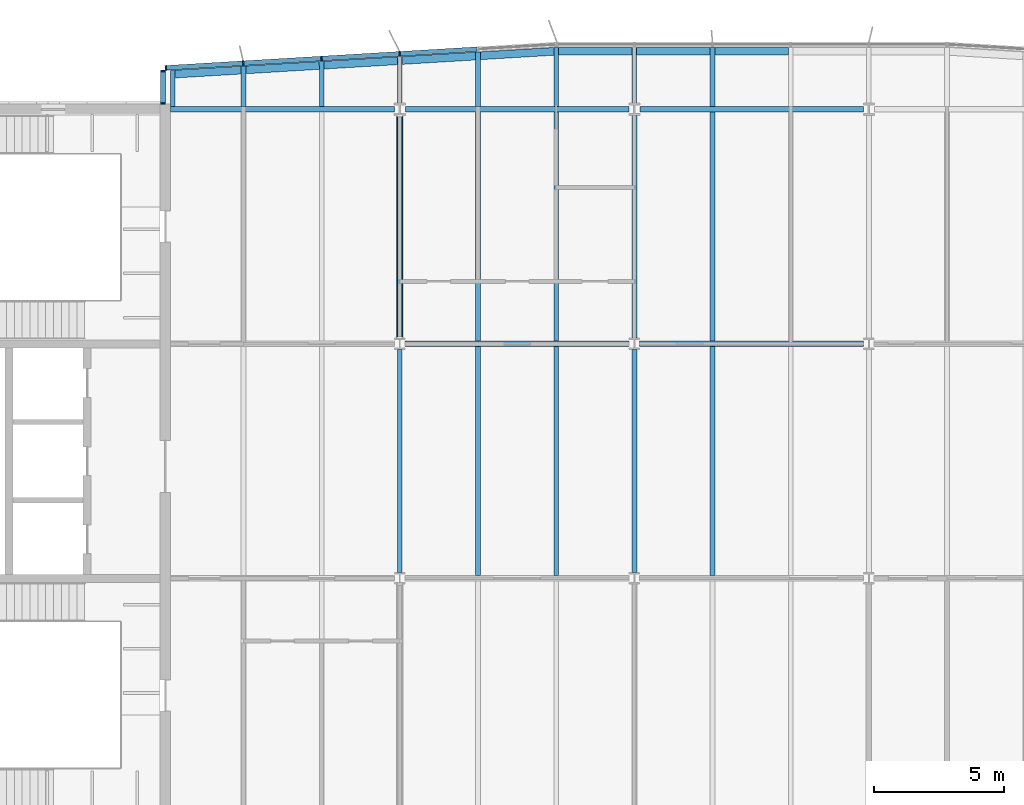
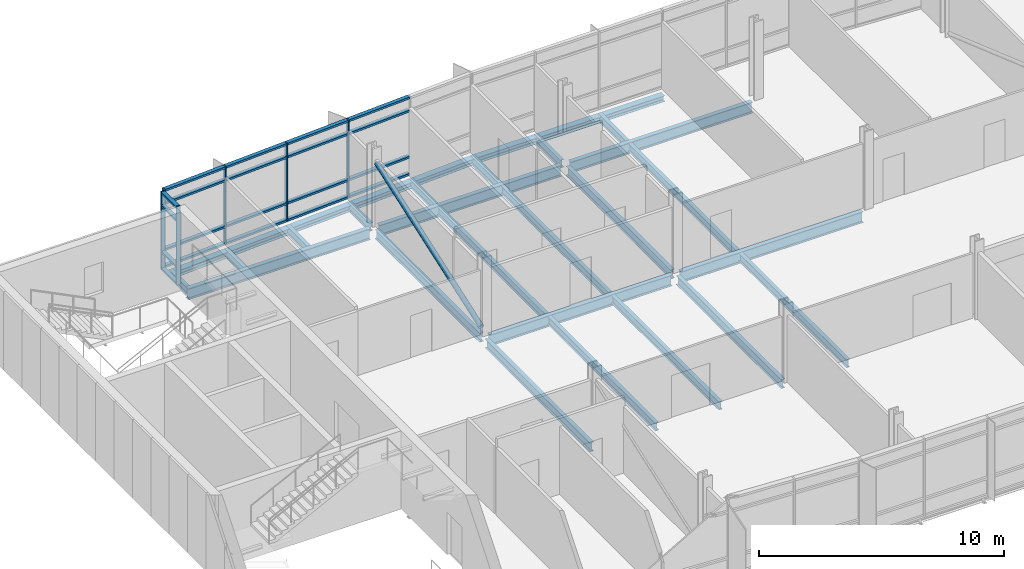
# One storey, part 4 of 17: 31 beams, 27 members, 2 elements without a shape of their own.
"""IFC4 building model written with IfcOpenShell, lengths in metres."""

from ifc_helpers import new_model, si_unit, direction, frame, origin, origin_2d, place, context, subcontext, project, spatial, rectangle, hollow_circle, i_section, extrude, material, material_profile, profile_set, type_object, element, aggregate, save


model = new_model("IFC4")

# Units and contexts
model_context = context("Model", 3, precision=1e-05, world=origin(), true_north=direction((0.0, 1.0)))
body_context = subcontext(model_context, "Body", "Model", "MODEL_VIEW")
ifc_project = project(units=[si_unit("LENGTHUNIT", "METRE"), si_unit("AREAUNIT", "SQUARE_METRE"), si_unit("VOLUMEUNIT", "CUBIC_METRE"), si_unit("PLANEANGLEUNIT", "RADIAN"), si_unit("MASSUNIT", "GRAM", prefix="KILO")], contexts=[model_context])

# Site, building, storey
site_placement = place(None, origin())
site = spatial("IfcSite", under=ifc_project, at=site_placement, CompositionType="ELEMENT")
building_placement = place(site_placement, origin())
building = spatial("IfcBuilding", under=site, at=building_placement, Name="Azimuth Sports and Learning Centre", CompositionType="ELEMENT")
storey_placement = place(building_placement, frame((0.0, 0.0, 40.199951171875)))
storey = spatial("IfcBuildingStorey", under=building, at=storey_placement, Name="L08", CompositionType="ELEMENT", Elevation=40.199951171875)

# Beams
ifc_material_1 = material(Name="Steel S355", Category="steel")
ifc_material_profile_1 = material_profile(ifc_material_1, i_section(OverallWidth=0.18994140625, OverallDepth=0.449951171875, WebThickness=0.009521484375, FlangeThickness=0.0146484375, FilletRadius=0.02099609375, at=origin_2d()), Name="IPE 450")
ifc_profile_set_1 = profile_set([ifc_material_profile_1], Name="Steel S355")
beam_type_1 = type_object("IfcBeamType", Name="Beam IPE 450", PredefinedType="BEAM", material=ifc_profile_set_1)
beam_1_placement = place(storey_placement, frame((72.0, 99.217529296875, -0.35498046875), z_axis=(0.0, 1.0, 0.0), x_axis=(-1.0, 0.0, 0.0)))
element("IfcBeam", 1, at=beam_1_placement, inside=storey, type_object=beam_type_1, Name="Tower tie", PredefinedType="BEAM", context=body_context, shape_type="SweptSolid", body=[
    extrude(i_section(OverallWidth=0.18994140625, OverallDepth=0.449951171875, WebThickness=0.009521484375, FlangeThickness=0.0146484375, FilletRadius=0.02099609375, at=origin_2d()), origin(), (0.0, 0.0, 1.0), 8.56494140625),
])
beam_2_placement = place(storey_placement, frame((72.0, 108.217529296875, -0.35498046875), z_axis=(0.0, 1.0, 0.0), x_axis=(-1.0, 0.0, 0.0)))
element("IfcBeam", 2, at=beam_2_placement, inside=storey, type_object=beam_type_1, Name="Tower tie", PredefinedType="BEAM", context=body_context, shape_type="SweptSolid", body=[
    extrude(i_section(OverallWidth=0.18994140625, OverallDepth=0.449951171875, WebThickness=0.009521484375, FlangeThickness=0.0146484375, FilletRadius=0.02099609375, at=origin_2d()), origin(), (0.0, 0.0, 1.0), 8.54541015625),
])
beam_3_placement = place(storey_placement, frame((81.0, 99.217529296875, -0.35498046875), z_axis=(0.0, 1.0, 0.0), x_axis=(-1.0, 0.0, 0.0)))
element("IfcBeam", 3, at=beam_3_placement, inside=storey, type_object=beam_type_1, Name="Tower tie", PredefinedType="BEAM", context=body_context, shape_type="SweptSolid", body=[
    extrude(i_section(OverallWidth=0.18994140625, OverallDepth=0.449951171875, WebThickness=0.009521484375, FlangeThickness=0.0146484375, FilletRadius=0.02099609375, at=origin_2d()), origin(), (0.0, 0.0, 1.0), 8.56494140625),
])
beam_4_placement = place(storey_placement, frame((81.0, 108.217529296875, -0.35498046875), z_axis=(0.0, 1.0, 0.0), x_axis=(-1.0, 0.0, 0.0)))
element("IfcBeam", 4, at=beam_4_placement, inside=storey, type_object=beam_type_1, Name="Tower tie", PredefinedType="BEAM", context=body_context, shape_type="SweptSolid", body=[
    extrude(i_section(OverallWidth=0.18994140625, OverallDepth=0.449951171875, WebThickness=0.009521484375, FlangeThickness=0.0146484375, FilletRadius=0.02099609375, at=origin_2d()), origin(), (0.0, 0.0, 1.0), 8.54541015625),
])
ifc_material_2 = material(Name="Steel S355", Category="steel")
ifc_material_profile_2 = material_profile(ifc_material_2, i_section(OverallWidth=0.2099609375, OverallDepth=0.550048828125, WebThickness=0.010986328125, FlangeThickness=0.01708984375, FilletRadius=0.02392578125, at=origin_2d()), Name="IPE 550")
ifc_profile_set_2 = profile_set([ifc_material_profile_2], Name="Steel S355")
beam_type_2 = type_object("IfcBeamType", Name="Beam IPE 550", PredefinedType="BEAM", material=ifc_profile_set_2)
for number, where, z_axis, x_axis, name in (
    (5, (72.2060546875, 108.0, -0.405029296875), (1.0, 0.0, 0.0), (0.0, 1.0, 0.0), "Tower girder L08"),
    (6, (81.2060546875, 108.0, -0.405029296875), (1.0, 0.0, 0.0), (0.0, 1.0, 0.0), "Tower girder L08"),
):
    element("IfcBeam", number, at=place(storey_placement, frame(where, z_axis=z_axis, x_axis=x_axis)), inside=storey, type_object=beam_type_2, Name=name, PredefinedType="BEAM", context=body_context, shape_type="SweptSolid", body=[
        extrude(i_section(OverallWidth=0.2099609375, OverallDepth=0.550048828125, WebThickness=0.010986328125, FlangeThickness=0.01708984375, FilletRadius=0.02392578125, at=origin_2d()), origin(), (0.0, 0.0, 1.0), 8.587890625),
    ])
beam_5_placement = place(storey_placement, frame((63.199951171875, 117.0, -0.405029296875), z_axis=(1.0, 0.0, 0.0), x_axis=(0.0, 1.0, 0.0)))
element("IfcBeam", 7, at=beam_5_placement, inside=storey, type_object=beam_type_2, Name="Tower girder L08", PredefinedType="BEAM", context=body_context, shape_type="SweptSolid", body=[
    extrude(i_section(OverallWidth=0.2099609375, OverallDepth=0.550048828125, WebThickness=0.010986328125, FlangeThickness=0.01708984375, FilletRadius=0.02392578125, at=origin_2d()), origin(), (0.0, 0.0, 1.0), 8.588134765625),
])
for number, where, z_axis, x_axis, name in (
    (8, (72.2119140625, 117.0, -0.405029296875), (1.0, 0.0, 0.0), (0.0, 1.0, 0.0), "Tower girder L08"),
    (9, (81.2119140625, 117.0, -0.405029296875), (1.0, 0.0, 0.0), (0.0, 1.0, 0.0), "Tower girder L08"),
):
    element("IfcBeam", number, at=place(storey_placement, frame(where, z_axis=z_axis, x_axis=x_axis)), inside=storey, type_object=beam_type_2, Name=name, PredefinedType="BEAM", context=body_context, shape_type="SweptSolid", body=[
        extrude(i_section(OverallWidth=0.2099609375, OverallDepth=0.550048828125, WebThickness=0.010986328125, FlangeThickness=0.01708984375, FilletRadius=0.02392578125, at=origin_2d()), origin(), (0.0, 0.0, 1.0), 8.576171875),
    ])

# Member
ifc_material_3 = material(Name="Steel S355", Category="steel")
ifc_material_profile_3 = material_profile(ifc_material_3, hollow_circle(Radius=0.122314453125, WallThickness=0.012451171875, at=origin_2d()), Name="CHS 244.5x12.5")
ifc_profile_set_3 = profile_set([ifc_material_profile_3], Name="Steel S355")
member_type_1 = type_object("IfcMemberType", Name="Brace CHS 244.5x12.5", PredefinedType="BRACE", material=ifc_profile_set_3)
member_1_placement = place(storey_placement, frame((72.0, 108.238037109375, 0.16943359375), z_axis=(0.0, 0.943699867633, 0.330802901785), x_axis=(-1.0, 0.0, 0.0)))
element("IfcMember", 10, at=member_1_placement, inside=storey, type_object=member_type_1, Name="Tower brace 9 L08", PredefinedType="BRACE", context=body_context, shape_type="SweptSolid", body=[
    extrude(hollow_circle(Radius=0.122314453125, WallThickness=0.012451171875, at=origin_2d()), origin(), (0.0, 0.0, 1.0), 9.011962890625),
])

# Beams
ifc_material_4 = material(Name="Steel S355", Category="steel")
ifc_material_profile_4 = material_profile(ifc_material_4, i_section(OverallWidth=0.179931640625, OverallDepth=0.39990234375, WebThickness=0.008544921875, FlangeThickness=0.013427734375, FilletRadius=0.02099609375, at=origin_2d()), Name="IPE 400")
ifc_profile_set_4 = profile_set([ifc_material_profile_4], Name="Steel S355")
beam_type_3 = type_object("IfcBeamType", Name="Cantilever stub IPE 400", PredefinedType="JOIST", material=ifc_profile_set_4)
beam_6_placement = place(storey_placement, frame((63.2900390625, 117.10498046875, -0.329833984375), z_axis=(0.0, 1.0, 0.0), x_axis=(-1.0, 0.0, 0.0)))
element("IfcBeam", 11, at=beam_6_placement, inside=storey, type_object=beam_type_3, Name="Tower cantilever stub", PredefinedType="JOIST", context=body_context, shape_type="SweptSolid", body=[
    extrude(i_section(OverallWidth=0.179931640625, OverallDepth=0.39990234375, WebThickness=0.008544921875, FlangeThickness=0.013427734375, FilletRadius=0.02099609375, at=origin_2d()), origin(), (0.0, 0.0, 1.0), 1.392333984375),
])
beam_7_placement = place(storey_placement, frame((66.0, 117.10498046875, -0.329833984375), z_axis=(0.0, 1.0, 0.0), x_axis=(-1.0, 0.0, 0.0)))
element("IfcBeam", 12, at=beam_7_placement, inside=storey, type_object=beam_type_3, Name="Tower cantilever stub", PredefinedType="JOIST", context=body_context, shape_type="SweptSolid", body=[
    extrude(i_section(OverallWidth=0.179931640625, OverallDepth=0.39990234375, WebThickness=0.008544921875, FlangeThickness=0.013427734375, FilletRadius=0.02099609375, at=origin_2d()), origin(), (0.0, 0.0, 1.0), 1.554931640625),
])
beam_8_placement = place(storey_placement, frame((69.0, 117.10498046875, -0.329833984375), z_axis=(0.0, 1.0, 0.0), x_axis=(-1.0, 0.0, 0.0)))
element("IfcBeam", 13, at=beam_8_placement, inside=storey, type_object=beam_type_3, Name="Tower cantilever stub", PredefinedType="JOIST", context=body_context, shape_type="SweptSolid", body=[
    extrude(i_section(OverallWidth=0.179931640625, OverallDepth=0.39990234375, WebThickness=0.008544921875, FlangeThickness=0.013427734375, FilletRadius=0.02099609375, at=origin_2d()), origin(), (0.0, 0.0, 1.0), 1.735107421875),
])
beam_9_placement = place(storey_placement, frame((72.0, 117.237060546875, -0.329833984375), z_axis=(0.0, 1.0, 0.0), x_axis=(-1.0, 0.0, 0.0)))
element("IfcBeam", 14, at=beam_9_placement, inside=storey, type_object=beam_type_3, Name="Tower cantilever stub", PredefinedType="JOIST", context=body_context, shape_type="SweptSolid", body=[
    extrude(i_section(OverallWidth=0.179931640625, OverallDepth=0.39990234375, WebThickness=0.008544921875, FlangeThickness=0.013427734375, FilletRadius=0.02099609375, at=origin_2d()), origin(), (0.0, 0.0, 1.0), 1.782958984375),
])
beam_10_placement = place(storey_placement, frame((75.0, 117.10498046875, -0.329833984375), z_axis=(0.0, 1.0, 0.0), x_axis=(-1.0, 0.0, 0.0)))
element("IfcBeam", 15, at=beam_10_placement, inside=storey, type_object=beam_type_3, Name="Tower cantilever stub", PredefinedType="JOIST", context=body_context, shape_type="SweptSolid", body=[
    extrude(i_section(OverallWidth=0.179931640625, OverallDepth=0.39990234375, WebThickness=0.008544921875, FlangeThickness=0.013427734375, FilletRadius=0.02099609375, at=origin_2d()), origin(), (0.0, 0.0, 1.0), 2.094970703125),
])
beam_11_placement = place(storey_placement, frame((78.0, 117.10498046875, -0.329833984375), z_axis=(0.0, 1.0, 0.0), x_axis=(-1.0, 0.0, 0.0)))
element("IfcBeam", 16, at=beam_11_placement, inside=storey, type_object=beam_type_3, Name="Tower cantilever stub", PredefinedType="JOIST", context=body_context, shape_type="SweptSolid", body=[
    extrude(i_section(OverallWidth=0.179931640625, OverallDepth=0.39990234375, WebThickness=0.008544921875, FlangeThickness=0.013427734375, FilletRadius=0.02099609375, at=origin_2d()), origin(), (0.0, 0.0, 1.0), 2.27490234375),
])
beam_12_placement = place(storey_placement, frame((81.0, 117.237060546875, -0.329833984375), z_axis=(0.0, 1.0, 0.0), x_axis=(-1.0, 0.0, 0.0)))
element("IfcBeam", 17, at=beam_12_placement, inside=storey, type_object=beam_type_3, Name="Tower cantilever stub", PredefinedType="JOIST", context=body_context, shape_type="SweptSolid", body=[
    extrude(i_section(OverallWidth=0.179931640625, OverallDepth=0.39990234375, WebThickness=0.008544921875, FlangeThickness=0.013427734375, FilletRadius=0.02099609375, at=origin_2d()), origin(), (0.0, 0.0, 1.0), 2.142822265625),
])
beam_13_placement = place(storey_placement, frame((84.0, 117.10498046875, -0.329833984375), z_axis=(0.0, 1.0, 0.0), x_axis=(-1.0, 0.0, 0.0)))
element("IfcBeam", 18, at=beam_13_placement, inside=storey, type_object=beam_type_3, Name="Tower cantilever stub", PredefinedType="JOIST", context=body_context, shape_type="SweptSolid", body=[
    extrude(i_section(OverallWidth=0.179931640625, OverallDepth=0.39990234375, WebThickness=0.008544921875, FlangeThickness=0.013427734375, FilletRadius=0.02099609375, at=origin_2d()), origin(), (0.0, 0.0, 1.0), 2.27490234375),
])
ifc_material_5 = material(Name="Steel S355", Category="steel")
ifc_material_profile_5 = material_profile(ifc_material_5, i_section(OverallWidth=0.300048828125, OverallDepth=0.2900390625, WebThickness=0.008544921875, FlangeThickness=0.013916015625, FilletRadius=0.027099609375, at=origin_2d()), Name="HEA 300")
ifc_profile_set_5 = profile_set([ifc_material_profile_5], Name="Steel S355")
beam_type_4 = type_object("IfcBeamType", Name="Edge beam HEA 300", PredefinedType="SPANDREL", material=ifc_profile_set_5)
beam_14_placement = place(storey_placement, frame((63.3798828125, 118.352783203125, -0.27490234375), z_axis=(0.998203578329, 0.059913405937, 0.0), x_axis=(-0.059913405937, 0.998203578329, 0.0)))
element("IfcBeam", 19, at=beam_14_placement, inside=storey, type_object=beam_type_4, Name="Tower edge beam", PredefinedType="SPANDREL", context=body_context, shape_type="SweptSolid", body=[
    extrude(i_section(OverallWidth=0.300048828125, OverallDepth=0.2900390625, WebThickness=0.008544921875, FlangeThickness=0.013916015625, FilletRadius=0.027099609375, at=origin_2d()), origin(), (0.0, 0.0, 1.0), 2.53466796875),
])
for number, where, z_axis, x_axis, name in (
    (20, (66.090087890625, 118.515380859375, -0.27490234375), (0.998204845466, 0.059892290728, 0.0), (-0.059892290728, 0.998204845466, 0.0), "Tower edge beam"),
    (21, (69.090087890625, 118.6953125, -0.27490234375), (0.998204845466, 0.059892290728, 0.0), (-0.059892290728, 0.998204845466, 0.0), "Tower edge beam"),
    (22, (72.090087890625, 118.87548828125, -0.27490234375), (0.998204845466, 0.059892290728, 0.0), (-0.059892290728, 0.998204845466, 0.0), "Tower edge beam"),
    (23, (75.090087890625, 119.055419921875, -0.27490234375), (0.998204845466, 0.059892290728, 0.0), (-0.059892290728, 0.998204845466, 0.0), "Tower edge beam"),
):
    element("IfcBeam", number, at=place(storey_placement, frame(where, z_axis=z_axis, x_axis=x_axis)), inside=storey, type_object=beam_type_4, Name=name, PredefinedType="SPANDREL", context=body_context, shape_type="SweptSolid", body=[
        extrude(i_section(OverallWidth=0.300048828125, OverallDepth=0.2900390625, WebThickness=0.008544921875, FlangeThickness=0.013916015625, FilletRadius=0.027099609375, at=origin_2d()), origin(), (0.0, 0.0, 1.0), 2.824951171875),
    ])
for number, where, z_axis, x_axis, name in (
    (24, (78.090087890625, 119.22998046875, -0.27490234375), (1.0, 0.0, 0.0), (0.0, 1.0, 0.0), "Tower edge beam"),
    (25, (81.090087890625, 119.22998046875, -0.27490234375), (1.0, 0.0, 0.0), (0.0, 1.0, 0.0), "Tower edge beam"),
    (26, (84.090087890625, 119.22998046875, -0.27490234375), (1.0, 0.0, 0.0), (0.0, 1.0, 0.0), "Tower edge beam"),
):
    element("IfcBeam", number, at=place(storey_placement, frame(where, z_axis=z_axis, x_axis=x_axis)), inside=storey, type_object=beam_type_4, Name=name, PredefinedType="SPANDREL", context=body_context, shape_type="SweptSolid", body=[
        extrude(i_section(OverallWidth=0.300048828125, OverallDepth=0.2900390625, WebThickness=0.008544921875, FlangeThickness=0.013916015625, FilletRadius=0.027099609375, at=origin_2d()), origin(), (0.0, 0.0, 1.0), 2.81982421875),
    ])
ifc_material_6 = material(Name="Steel S355", Category="steel")
ifc_material_profile_6 = material_profile(ifc_material_6, i_section(OverallWidth=0.179931640625, OverallDepth=0.39990234375, WebThickness=0.008544921875, FlangeThickness=0.013427734375, FilletRadius=0.02099609375, at=origin_2d()), Name="IPE 400")
ifc_profile_set_6 = profile_set([ifc_material_profile_6], Name="Steel S355")
beam_type_5 = type_object("IfcBeamType", Name="Joist IPE 400", PredefinedType="JOIST", material=ifc_profile_set_6)
for number, where, z_axis, x_axis, name in (
    (27, (75.0, 99.10498046875, -0.329833984375), (0.0, 1.0, 0.0), (-1.0, 0.0, 0.0), "Tower joist"),
    (28, (75.0, 108.10498046875, -0.329833984375), (0.0, 1.0, 0.0), (-1.0, 0.0, 0.0), "Tower joist"),
    (29, (78.0, 99.10498046875, -0.329833984375), (0.0, 1.0, 0.0), (-1.0, 0.0, 0.0), "Tower joist"),
    (30, (78.0, 108.10498046875, -0.329833984375), (0.0, 1.0, 0.0), (-1.0, 0.0, 0.0), "Tower joist"),
    (31, (84.0, 99.10498046875, -0.329833984375), (0.0, 1.0, 0.0), (-1.0, 0.0, 0.0), "Tower joist"),
    (32, (84.0, 108.10498046875, -0.329833984375), (0.0, 1.0, 0.0), (-1.0, 0.0, 0.0), "Tower joist"),
):
    element("IfcBeam", number, at=place(storey_placement, frame(where, z_axis=z_axis, x_axis=x_axis)), inside=storey, type_object=beam_type_5, Name=name, PredefinedType="JOIST", context=body_context, shape_type="SweptSolid", body=[
        extrude(i_section(OverallWidth=0.179931640625, OverallDepth=0.39990234375, WebThickness=0.008544921875, FlangeThickness=0.013427734375, FilletRadius=0.02099609375, at=origin_2d()), origin(), (0.0, 0.0, 1.0), 8.7900390625),
    ])

# Curtain wall, members
ifc_material_7 = material(Name="Aluminium and glass", Category="aluminium")
curtain_wall_type_1 = type_object("IfcCurtainWallType", Name="Curtain wall tower north 180", PredefinedType="NOTDEFINED", material=ifc_material_7)
curtain_wall_1_placement = place(storey_placement, origin())
curtain_wall_1 = element("IfcCurtainWall", 33, at=curtain_wall_1_placement, inside=storey, type_object=curtain_wall_type_1, Name="Curtain wall CW08-009", PredefinedType="NOTDEFINED")
ifc_material_8 = material(Name="Aluminium", Category="aluminium")
ifc_material_profile_7 = material_profile(ifc_material_8, rectangle(XDim=0.179931640625, YDim=0.06005859375, at=origin_2d()), Name="Mullion 60x180")
ifc_profile_set_7 = profile_set([ifc_material_profile_7], Name="Aluminium")
member_type_2 = type_object("IfcMemberType", Name="Mullion 60x180", PredefinedType="MULLION", material=ifc_profile_set_7)
member_2_placement = place(storey_placement, frame((71.99462890625, 119.1298828125, 0.0), z_axis=(0.0, 0.0, 1.0), x_axis=(0.059891991812, -0.998204863401, 0.0)))
member_2 = element("IfcMember", 34, at=member_2_placement, type_object=member_type_2, Name="CW08-009 mullion 3", PredefinedType="MULLION", context=body_context, shape_type="SweptSolid", body=[
    extrude(rectangle(XDim=0.179931640625, YDim=0.06005859375, at=origin_2d()), origin(), (0.0, 0.0, 1.0), 3.900146484375),
])
member_3_placement = place(storey_placement, frame((68.99462890625, 118.949951171875, 0.0), z_axis=(0.0, 0.0, 1.0), x_axis=(0.059891991812, -0.998204863401, 0.0)))
member_3 = element("IfcMember", 35, at=member_3_placement, type_object=member_type_2, Name="CW08-009 mullion 4", PredefinedType="MULLION", context=body_context, shape_type="SweptSolid", body=[
    extrude(rectangle(XDim=0.179931640625, YDim=0.06005859375, at=origin_2d()), origin(), (0.0, 0.0, 1.0), 3.900146484375),
])
member_4_placement = place(storey_placement, frame((65.99462890625, 118.769775390625, 0.0), z_axis=(0.0, 0.0, 1.0), x_axis=(0.059891991812, -0.998204863401, 0.0)))
member_4 = element("IfcMember", 36, at=member_4_placement, type_object=member_type_2, Name="CW08-009 mullion 5", PredefinedType="MULLION", context=body_context, shape_type="SweptSolid", body=[
    extrude(rectangle(XDim=0.179931640625, YDim=0.06005859375, at=origin_2d()), origin(), (0.0, 0.0, 1.0), 3.900146484375),
])
member_5_placement = place(storey_placement, frame((63.024658203125, 118.591552734375, 0.0), z_axis=(0.0, 0.0, 1.0), x_axis=(0.059891991812, -0.998204863401, 0.0)))
member_5 = element("IfcMember", 37, at=member_5_placement, type_object=member_type_2, Name="CW08-009 mullion 6", PredefinedType="MULLION", context=body_context, shape_type="SweptSolid", body=[
    extrude(rectangle(XDim=0.179931640625, YDim=0.06005859375, at=origin_2d()), origin(), (0.0, 0.0, 1.0), 3.900146484375),
])

ifc_material_9 = material(Name="Aluminium and glass", Category="aluminium")
curtain_wall_type_2 = type_object("IfcCurtainWallType", Name="Curtain wall tower return 180", PredefinedType="NOTDEFINED", material=ifc_material_9)
curtain_wall_2_placement = place(storey_placement, origin())
curtain_wall_2 = element("IfcCurtainWall", 38, at=curtain_wall_2_placement, inside=storey, type_object=curtain_wall_type_2, Name="Curtain wall CW08-010", PredefinedType="NOTDEFINED")
member_6_placement = place(storey_placement, frame((62.909912109375, 118.469970703125, 0.0), z_axis=(0.0, 0.0, 1.0), x_axis=(1.0, 0.0, 0.0)))
member_6 = element("IfcMember", 39, at=member_6_placement, type_object=member_type_2, Name="CW08-010 mullion 1", PredefinedType="MULLION", context=body_context, shape_type="SweptSolid", body=[
    extrude(rectangle(XDim=0.179931640625, YDim=0.06005859375, at=origin_2d()), origin(), (0.0, 0.0, 1.0), 3.900146484375),
])
member_7_placement = place(storey_placement, frame((62.909912109375, 117.22998046875, 0.0), z_axis=(0.0, 0.0, 1.0), x_axis=(1.0, 0.0, 0.0)))
member_7 = element("IfcMember", 40, at=member_7_placement, type_object=member_type_2, Name="CW08-010 mullion 2", PredefinedType="MULLION", context=body_context, shape_type="SweptSolid", body=[
    extrude(rectangle(XDim=0.179931640625, YDim=0.06005859375, at=origin_2d()), origin(), (0.0, 0.0, 1.0), 3.900146484375),
])

# Member
ifc_material_10 = material(Name="Aluminium", Category="aluminium")
ifc_material_profile_8 = material_profile(ifc_material_10, rectangle(XDim=0.179931640625, YDim=0.10009765625, at=origin_2d()), Name="Transom 100x180")
ifc_profile_set_8 = profile_set([ifc_material_profile_8], Name="Aluminium")
member_type_3 = type_object("IfcMemberType", Name="Transom 100x180", PredefinedType="USERDEFINED", material=ifc_profile_set_8)
member_8_placement = place(storey_placement, frame((74.964599609375, 119.30810546875, 0.050048828125), z_axis=(-0.998202465912, -0.059931936792, 0.0), x_axis=(0.059931936792, -0.998202465912, 0.0)))
member_8 = element("IfcMember", 41, at=member_8_placement, type_object=member_type_3, Name="CW08-009 transom 2.1", ObjectType="TRANSOM", PredefinedType="USERDEFINED", context=body_context, shape_type="SweptSolid", body=[
    extrude(rectangle(XDim=0.179931640625, YDim=0.10009765625, at=origin_2d()), origin(), (0.0, 0.0, 1.0), 2.9453125),
])

member_9_placement = place(storey_placement, frame((74.964599609375, 119.30810546875, 0.900146484375), z_axis=(-0.998202465912, -0.059931936792, 0.0), x_axis=(0.059931936792, -0.998202465912, 0.0)))
member_9 = element("IfcMember", 42, at=member_9_placement, type_object=member_type_3, Name="CW08-009 transom 2.2", ObjectType="TRANSOM", PredefinedType="USERDEFINED", context=body_context, shape_type="SweptSolid", body=[
    extrude(rectangle(XDim=0.179931640625, YDim=0.10009765625, at=origin_2d()), origin(), (0.0, 0.0, 1.0), 2.9453125),
])

member_10_placement = place(storey_placement, frame((74.964599609375, 119.30810546875, 3.199951171875), z_axis=(-0.998202465912, -0.059931936792, 0.0), x_axis=(0.059931936792, -0.998202465912, 0.0)))
member_10 = element("IfcMember", 43, at=member_10_placement, type_object=member_type_3, Name="CW08-009 transom 2.3", ObjectType="TRANSOM", PredefinedType="USERDEFINED", context=body_context, shape_type="SweptSolid", body=[
    extrude(rectangle(XDim=0.179931640625, YDim=0.10009765625, at=origin_2d()), origin(), (0.0, 0.0, 1.0), 2.9453125),
])

member_11_placement = place(storey_placement, frame((74.964599609375, 119.30810546875, 3.85009765625), z_axis=(-0.998202465912, -0.059931936792, 0.0), x_axis=(0.059931936792, -0.998202465912, 0.0)))
member_11 = element("IfcMember", 44, at=member_11_placement, type_object=member_type_3, Name="CW08-009 transom 2.4", ObjectType="TRANSOM", PredefinedType="USERDEFINED", context=body_context, shape_type="SweptSolid", body=[
    extrude(rectangle(XDim=0.179931640625, YDim=0.10009765625, at=origin_2d()), origin(), (0.0, 0.0, 1.0), 2.9453125),
])

member_12_placement = place(storey_placement, frame((71.964599609375, 119.1279296875, 0.050048828125), z_axis=(-0.998207421552, -0.059849340505, 0.0), x_axis=(0.059849340505, -0.998207421552, 0.0)))
member_12 = element("IfcMember", 45, at=member_12_placement, type_object=member_type_3, Name="CW08-009 transom 3.1", ObjectType="TRANSOM", PredefinedType="USERDEFINED", context=body_context, shape_type="SweptSolid", body=[
    extrude(rectangle(XDim=0.179931640625, YDim=0.10009765625, at=origin_2d()), origin(), (0.0, 0.0, 1.0), 2.9453125),
])

member_13_placement = place(storey_placement, frame((71.964599609375, 119.1279296875, 0.900146484375), z_axis=(-0.998207421552, -0.059849340505, 0.0), x_axis=(0.059849340505, -0.998207421552, 0.0)))
member_13 = element("IfcMember", 46, at=member_13_placement, type_object=member_type_3, Name="CW08-009 transom 3.2", ObjectType="TRANSOM", PredefinedType="USERDEFINED", context=body_context, shape_type="SweptSolid", body=[
    extrude(rectangle(XDim=0.179931640625, YDim=0.10009765625, at=origin_2d()), origin(), (0.0, 0.0, 1.0), 2.9453125),
])

member_14_placement = place(storey_placement, frame((71.964599609375, 119.1279296875, 3.199951171875), z_axis=(-0.998207421552, -0.059849340505, 0.0), x_axis=(0.059849340505, -0.998207421552, 0.0)))
member_14 = element("IfcMember", 47, at=member_14_placement, type_object=member_type_3, Name="CW08-009 transom 3.3", ObjectType="TRANSOM", PredefinedType="USERDEFINED", context=body_context, shape_type="SweptSolid", body=[
    extrude(rectangle(XDim=0.179931640625, YDim=0.10009765625, at=origin_2d()), origin(), (0.0, 0.0, 1.0), 2.9453125),
])

member_15_placement = place(storey_placement, frame((71.964599609375, 119.1279296875, 3.85009765625), z_axis=(-0.998207421552, -0.059849340505, 0.0), x_axis=(0.059849340505, -0.998207421552, 0.0)))
member_15 = element("IfcMember", 48, at=member_15_placement, type_object=member_type_3, Name="CW08-009 transom 3.4", ObjectType="TRANSOM", PredefinedType="USERDEFINED", context=body_context, shape_type="SweptSolid", body=[
    extrude(rectangle(XDim=0.179931640625, YDim=0.10009765625, at=origin_2d()), origin(), (0.0, 0.0, 1.0), 2.9453125),
])

member_16_placement = place(storey_placement, frame((68.964599609375, 118.947998046875, 0.050048828125), z_axis=(-0.998207421552, -0.059849340505, 0.0), x_axis=(0.059849340505, -0.998207421552, 0.0)))
member_16 = element("IfcMember", 49, at=member_16_placement, type_object=member_type_3, Name="CW08-009 transom 4.1", ObjectType="TRANSOM", PredefinedType="USERDEFINED", context=body_context, shape_type="SweptSolid", body=[
    extrude(rectangle(XDim=0.179931640625, YDim=0.10009765625, at=origin_2d()), origin(), (0.0, 0.0, 1.0), 2.9453125),
])

member_17_placement = place(storey_placement, frame((68.964599609375, 118.947998046875, 0.900146484375), z_axis=(-0.998207421552, -0.059849340505, 0.0), x_axis=(0.059849340505, -0.998207421552, 0.0)))
member_17 = element("IfcMember", 50, at=member_17_placement, type_object=member_type_3, Name="CW08-009 transom 4.2", ObjectType="TRANSOM", PredefinedType="USERDEFINED", context=body_context, shape_type="SweptSolid", body=[
    extrude(rectangle(XDim=0.179931640625, YDim=0.10009765625, at=origin_2d()), origin(), (0.0, 0.0, 1.0), 2.9453125),
])

member_18_placement = place(storey_placement, frame((68.964599609375, 118.947998046875, 3.199951171875), z_axis=(-0.998207421552, -0.059849340505, 0.0), x_axis=(0.059849340505, -0.998207421552, 0.0)))
member_18 = element("IfcMember", 51, at=member_18_placement, type_object=member_type_3, Name="CW08-009 transom 4.3", ObjectType="TRANSOM", PredefinedType="USERDEFINED", context=body_context, shape_type="SweptSolid", body=[
    extrude(rectangle(XDim=0.179931640625, YDim=0.10009765625, at=origin_2d()), origin(), (0.0, 0.0, 1.0), 2.9453125),
])

member_19_placement = place(storey_placement, frame((68.964599609375, 118.947998046875, 3.85009765625), z_axis=(-0.998207421552, -0.059849340505, 0.0), x_axis=(0.059849340505, -0.998207421552, 0.0)))
member_19 = element("IfcMember", 52, at=member_19_placement, type_object=member_type_3, Name="CW08-009 transom 4.4", ObjectType="TRANSOM", PredefinedType="USERDEFINED", context=body_context, shape_type="SweptSolid", body=[
    extrude(rectangle(XDim=0.179931640625, YDim=0.10009765625, at=origin_2d()), origin(), (0.0, 0.0, 1.0), 2.9453125),
])

member_20_placement = place(storey_placement, frame((65.964599609375, 118.76806640625, 0.050048828125), z_axis=(-0.998205846627, -0.059875602377, 0.0), x_axis=(0.059875602377, -0.998205846627, 0.0)))
member_20 = element("IfcMember", 53, at=member_20_placement, type_object=member_type_3, Name="CW08-009 transom 5.1", ObjectType="TRANSOM", PredefinedType="USERDEFINED", context=body_context, shape_type="SweptSolid", body=[
    extrude(rectangle(XDim=0.179931640625, YDim=0.10009765625, at=origin_2d()), origin(), (0.0, 0.0, 1.0), 2.915283203125),
])

member_21_placement = place(storey_placement, frame((65.964599609375, 118.76806640625, 0.900146484375), z_axis=(-0.998205846627, -0.059875602377, 0.0), x_axis=(0.059875602377, -0.998205846627, 0.0)))
member_21 = element("IfcMember", 54, at=member_21_placement, type_object=member_type_3, Name="CW08-009 transom 5.2", ObjectType="TRANSOM", PredefinedType="USERDEFINED", context=body_context, shape_type="SweptSolid", body=[
    extrude(rectangle(XDim=0.179931640625, YDim=0.10009765625, at=origin_2d()), origin(), (0.0, 0.0, 1.0), 2.915283203125),
])

member_22_placement = place(storey_placement, frame((65.964599609375, 118.76806640625, 3.199951171875), z_axis=(-0.998205846627, -0.059875602377, 0.0), x_axis=(0.059875602377, -0.998205846627, 0.0)))
member_22 = element("IfcMember", 55, at=member_22_placement, type_object=member_type_3, Name="CW08-009 transom 5.3", ObjectType="TRANSOM", PredefinedType="USERDEFINED", context=body_context, shape_type="SweptSolid", body=[
    extrude(rectangle(XDim=0.179931640625, YDim=0.10009765625, at=origin_2d()), origin(), (0.0, 0.0, 1.0), 2.915283203125),
])

member_23_placement = place(storey_placement, frame((65.964599609375, 118.76806640625, 3.85009765625), z_axis=(-0.998205846627, -0.059875602377, 0.0), x_axis=(0.059875602377, -0.998205846627, 0.0)))
member_23 = element("IfcMember", 56, at=member_23_placement, type_object=member_type_3, Name="CW08-009 transom 5.4", ObjectType="TRANSOM", PredefinedType="USERDEFINED", context=body_context, shape_type="SweptSolid", body=[
    extrude(rectangle(XDim=0.179931640625, YDim=0.10009765625, at=origin_2d()), origin(), (0.0, 0.0, 1.0), 2.915283203125),
])

aggregate(curtain_wall_1, [member_2, member_3, member_4, member_5, member_8, member_9, member_10, member_11, member_12, member_13, member_14, member_15, member_16, member_17, member_18, member_19, member_20, member_21, member_22, member_23])

member_24_placement = place(storey_placement, frame((62.909912109375, 118.43994140625, 0.050048828125), z_axis=(0.0, -1.0, 0.0), x_axis=(1.0, 0.0, 0.0)))
member_24 = element("IfcMember", 57, at=member_24_placement, type_object=member_type_3, Name="CW08-010 transom 1.1", ObjectType="TRANSOM", PredefinedType="USERDEFINED", context=body_context, shape_type="SweptSolid", body=[
    extrude(rectangle(XDim=0.179931640625, YDim=0.10009765625, at=origin_2d()), origin(), (0.0, 0.0, 1.0), 1.179931640625),
])

member_25_placement = place(storey_placement, frame((62.909912109375, 118.43994140625, 0.900146484375), z_axis=(0.0, -1.0, 0.0), x_axis=(1.0, 0.0, 0.0)))
member_25 = element("IfcMember", 58, at=member_25_placement, type_object=member_type_3, Name="CW08-010 transom 1.2", ObjectType="TRANSOM", PredefinedType="USERDEFINED", context=body_context, shape_type="SweptSolid", body=[
    extrude(rectangle(XDim=0.179931640625, YDim=0.10009765625, at=origin_2d()), origin(), (0.0, 0.0, 1.0), 1.179931640625),
])

member_26_placement = place(storey_placement, frame((62.909912109375, 118.43994140625, 3.199951171875), z_axis=(0.0, -1.0, 0.0), x_axis=(1.0, 0.0, 0.0)))
member_26 = element("IfcMember", 59, at=member_26_placement, type_object=member_type_3, Name="CW08-010 transom 1.3", ObjectType="TRANSOM", PredefinedType="USERDEFINED", context=body_context, shape_type="SweptSolid", body=[
    extrude(rectangle(XDim=0.179931640625, YDim=0.10009765625, at=origin_2d()), origin(), (0.0, 0.0, 1.0), 1.179931640625),
])

member_27_placement = place(storey_placement, frame((62.909912109375, 118.43994140625, 3.85009765625), z_axis=(0.0, -1.0, 0.0), x_axis=(1.0, 0.0, 0.0)))
member_27 = element("IfcMember", 60, at=member_27_placement, type_object=member_type_3, Name="CW08-010 transom 1.4", ObjectType="TRANSOM", PredefinedType="USERDEFINED", context=body_context, shape_type="SweptSolid", body=[
    extrude(rectangle(XDim=0.179931640625, YDim=0.10009765625, at=origin_2d()), origin(), (0.0, 0.0, 1.0), 1.179931640625),
])

aggregate(curtain_wall_2, [member_6, member_7, member_24, member_25, member_26, member_27])

save(model, "model.ifc")
